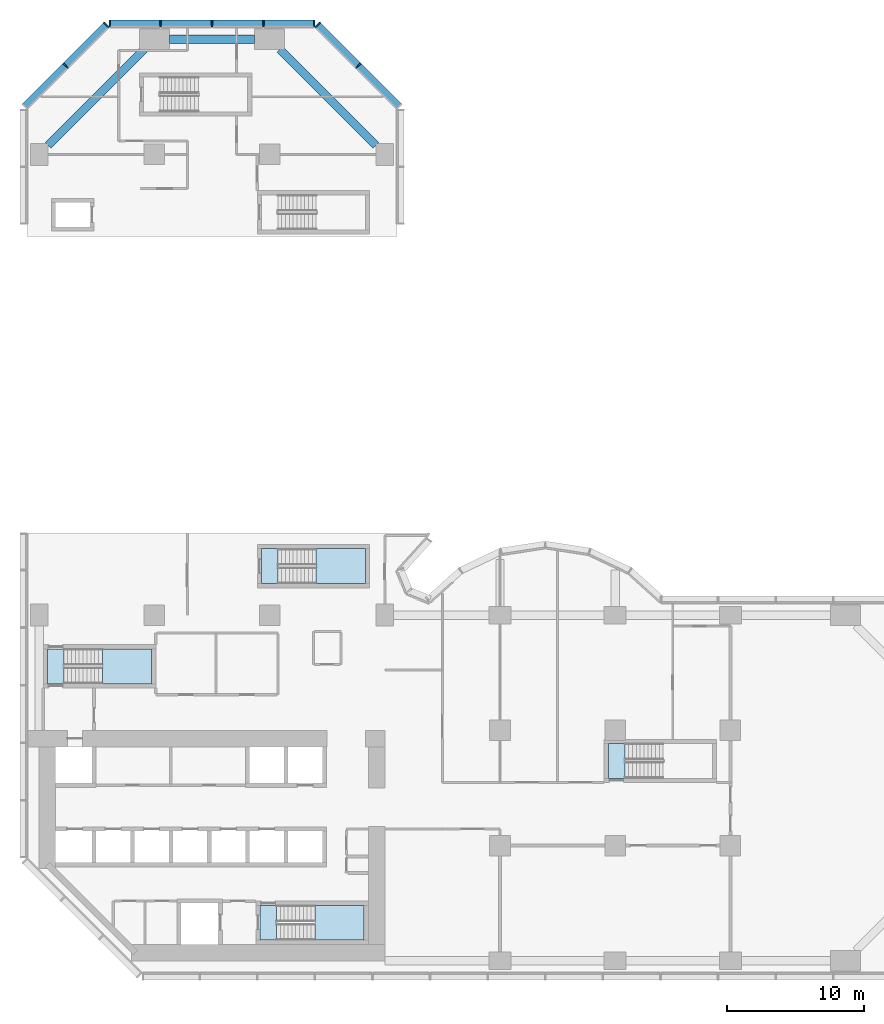
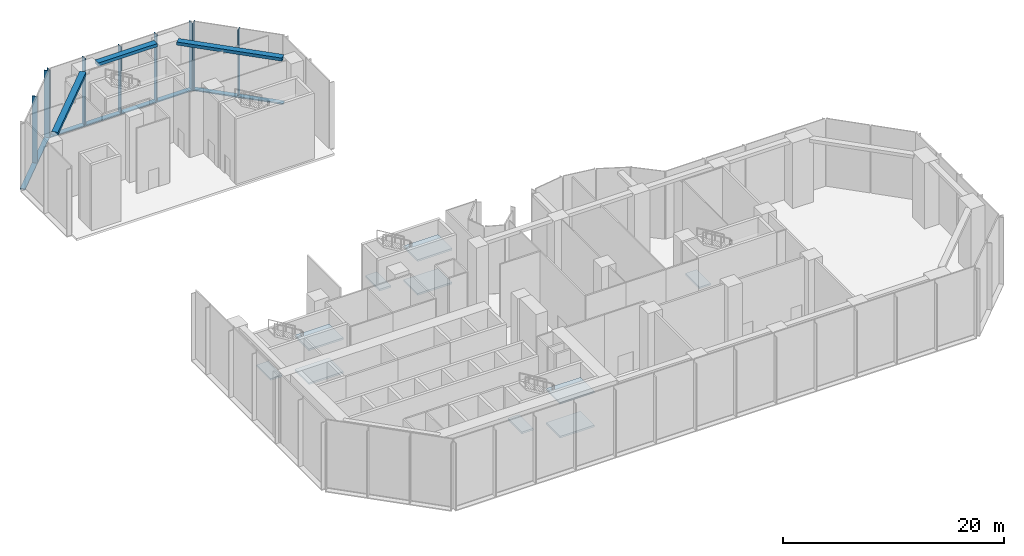
# One storey, part 5 of 16: 12 members, 10 slabs, 3 beams, 7 elements without a shape of their own.
"""IFC4 building model written with IfcOpenShell, lengths in metres."""

from ifc_helpers import new_model, si_unit, direction, frame, origin, origin_2d, place, context, subcontext, project, spatial, polyline, rectangle, outline, extrude, material, layer, layer_set, material_profile, profile_set, type_object, element, aggregate, save


model = new_model("IFC4")

# Units and contexts
model_context = context("Model", 3, precision=1e-05, world=origin(), true_north=direction((0.0, 1.0)))
body_context = subcontext(model_context, "Body", "Model", "MODEL_VIEW")
ifc_project = project(units=[si_unit("LENGTHUNIT", "METRE"), si_unit("AREAUNIT", "SQUARE_METRE"), si_unit("VOLUMEUNIT", "CUBIC_METRE"), si_unit("PLANEANGLEUNIT", "RADIAN"), si_unit("MASSUNIT", "GRAM", prefix="KILO")], contexts=[model_context])

# Site, building, storey
site_placement = place(None, origin())
site = spatial("IfcSite", under=ifc_project, at=site_placement, CompositionType="ELEMENT")
building_placement = place(site_placement, origin())
building = spatial("IfcBuilding", under=site, at=building_placement, Name="Brevane Broadcast Tower", CompositionType="ELEMENT")
storey_placement = place(building_placement, frame((0.0, 0.0, 12.5)))
storey = spatial("IfcBuildingStorey", under=building, at=storey_placement, Name="L02", CompositionType="ELEMENT", Elevation=12.5)

# Curtain wall, members
ifc_material_1 = material(Name="Aluminium 6063-T6 bronze anodised", Category="aluminium")
curtain_wall_type = type_object("IfcCurtainWallType", Name="CW-2 curtain wall", PredefinedType="NOTDEFINED", material=ifc_material_1)
curtain_wall_1_placement = place(storey_placement, origin())
curtain_wall_1 = element("IfcCurtainWall", 1, at=curtain_wall_1_placement, inside=storey, type_object=curtain_wall_type, Name="CW-2 podium base unit L02 north arm north-east chamfer", PredefinedType="NOTDEFINED")
ifc_material_profile_1 = material_profile(ifc_material_1, rectangle(XDim=0.5, YDim=0.090087890625, at=origin_2d()), Name="RECT 90x500")
ifc_profile_set_1 = profile_set([ifc_material_profile_1], Name="Aluminium 6063-T6 bronze anodised")
member_type_1 = type_object("IfcMemberType", Name="CW-2 mullion 90x500", PredefinedType="MULLION", material=ifc_profile_set_1)
member_1_placement = place(storey_placement, frame((23.27685546875, 65.27685546875, -0.1298828125), z_axis=(0.0, 0.0, 1.0), x_axis=(-0.707106781187, -0.707106781187, 0.0)))
member_1 = element("IfcMember", 2, at=member_1_placement, type_object=member_type_1, Name="CW-2 mullion", PredefinedType="MULLION", context=body_context, shape_type="SweptSolid", body=[
    extrude(rectangle(XDim=0.5, YDim=0.090087890625, at=origin_2d()), origin(), (0.0, 0.0, 1.0), 7.3798828125),
])
member_2_placement = place(storey_placement, frame((20.30859375, 68.244873046875, -0.1298828125), z_axis=(0.0, 0.0, 1.0), x_axis=(-0.707106781187, -0.707106781187, 0.0)))
member_2 = element("IfcMember", 3, at=member_2_placement, type_object=member_type_1, Name="CW-2 mullion", PredefinedType="MULLION", context=body_context, shape_type="SweptSolid", body=[
    extrude(rectangle(XDim=0.5, YDim=0.090087890625, at=origin_2d()), origin(), (0.0, 0.0, 1.0), 7.3798828125),
])

curtain_wall_2_placement = place(storey_placement, origin())
curtain_wall_2 = element("IfcCurtainWall", 4, at=curtain_wall_2_placement, inside=storey, type_object=curtain_wall_type, Name="CW-2 podium base unit L02 north end", PredefinedType="NOTDEFINED")
member_3_placement = place(storey_placement, frame((20.054931640625, 68.35009765625, -0.1298828125), z_axis=(0.0, 0.0, 1.0), x_axis=(0.0, -1.0, 0.0)))
member_3 = element("IfcMember", 5, at=member_3_placement, type_object=member_type_1, Name="CW-2 mullion", PredefinedType="MULLION", context=body_context, shape_type="SweptSolid", body=[
    extrude(rectangle(XDim=0.5, YDim=0.090087890625, at=origin_2d()), origin(), (0.0, 0.0, 1.0), 7.3798828125),
])
member_4_placement = place(storey_placement, frame((16.35009765625, 68.35009765625, -0.1298828125), z_axis=(0.0, 0.0, 1.0), x_axis=(0.0, -1.0, 0.0)))
member_4 = element("IfcMember", 6, at=member_4_placement, type_object=member_type_1, Name="CW-2 mullion", PredefinedType="MULLION", context=body_context, shape_type="SweptSolid", body=[
    extrude(rectangle(XDim=0.5, YDim=0.090087890625, at=origin_2d()), origin(), (0.0, 0.0, 1.0), 7.3798828125),
])
member_5_placement = place(storey_placement, frame((12.60009765625, 68.35009765625, -0.1298828125), z_axis=(0.0, 0.0, 1.0), x_axis=(0.0, -1.0, 0.0)))
member_5 = element("IfcMember", 7, at=member_5_placement, type_object=member_type_1, Name="CW-2 mullion", PredefinedType="MULLION", context=body_context, shape_type="SweptSolid", body=[
    extrude(rectangle(XDim=0.5, YDim=0.090087890625, at=origin_2d()), origin(), (0.0, 0.0, 1.0), 7.3798828125),
])
member_6_placement = place(storey_placement, frame((8.85009765625, 68.35009765625, -0.1298828125), z_axis=(0.0, 0.0, 1.0), x_axis=(0.0, -1.0, 0.0)))
member_6 = element("IfcMember", 8, at=member_6_placement, type_object=member_type_1, Name="CW-2 mullion", PredefinedType="MULLION", context=body_context, shape_type="SweptSolid", body=[
    extrude(rectangle(XDim=0.5, YDim=0.090087890625, at=origin_2d()), origin(), (0.0, 0.0, 1.0), 7.3798828125),
])
member_7_placement = place(storey_placement, frame((5.14501953125, 68.35009765625, -0.1298828125), z_axis=(0.0, 0.0, 1.0), x_axis=(0.0, -1.0, 0.0)))
member_7 = element("IfcMember", 9, at=member_7_placement, type_object=member_type_1, Name="CW-2 mullion", PredefinedType="MULLION", context=body_context, shape_type="SweptSolid", body=[
    extrude(rectangle(XDim=0.5, YDim=0.090087890625, at=origin_2d()), origin(), (0.0, 0.0, 1.0), 7.3798828125),
])

curtain_wall_3_placement = place(storey_placement, origin())
curtain_wall_3 = element("IfcCurtainWall", 10, at=curtain_wall_3_placement, inside=storey, type_object=curtain_wall_type, Name="CW-2 podium base unit L02 north-west chamfer", PredefinedType="NOTDEFINED")
member_8_placement = place(storey_placement, frame((4.891357421875, 68.244873046875, -0.1298828125), z_axis=(0.0, 0.0, 1.0), x_axis=(0.707106781187, -0.707106781187, 0.0)))
member_8 = element("IfcMember", 11, at=member_8_placement, type_object=member_type_1, Name="CW-2 mullion", PredefinedType="MULLION", context=body_context, shape_type="SweptSolid", body=[
    extrude(rectangle(XDim=0.5, YDim=0.090087890625, at=origin_2d()), origin(), (0.0, 0.0, 1.0), 7.3798828125),
])
member_9_placement = place(storey_placement, frame((1.92333984375, 65.27685546875, -0.1298828125), z_axis=(0.0, 0.0, 1.0), x_axis=(0.707106781187, -0.707106781187, 0.0)))
member_9 = element("IfcMember", 12, at=member_9_placement, type_object=member_type_1, Name="CW-2 mullion", PredefinedType="MULLION", context=body_context, shape_type="SweptSolid", body=[
    extrude(rectangle(XDim=0.5, YDim=0.090087890625, at=origin_2d()), origin(), (0.0, 0.0, 1.0), 7.3798828125),
])

# Member
ifc_material_profile_2 = material_profile(ifc_material_1, rectangle(XDim=0.5, YDim=0.1201171875, at=origin_2d()), Name="RECT 120x500")
ifc_profile_set_2 = profile_set([ifc_material_profile_2], Name="Aluminium 6063-T6 bronze anodised")
member_type_2 = type_object("IfcMemberType", Name="CW-2 transom 120x500", PredefinedType="USERDEFINED", material=ifc_profile_set_2)
member_10_placement = place(storey_placement, frame((26.27685546875, 62.27685546875, -0.18994140625), z_axis=(-0.707106781187, 0.707106781187, 0.0), x_axis=(-0.707106781187, -0.707106781187, 0.0)))
member_10 = element("IfcMember", 13, at=member_10_placement, type_object=member_type_2, Name="CW-2 transom", ObjectType="TRANSOM", PredefinedType="USERDEFINED", context=body_context, shape_type="SweptSolid", body=[
    extrude(rectangle(XDim=0.5, YDim=0.1201171875, at=origin_2d()), origin(), (0.0, 0.0, 1.0), 8.4853515625),
])

aggregate(curtain_wall_1, [member_1, member_2, member_10])

member_11_placement = place(storey_placement, frame((20.10009765625, 68.35009765625, -0.18994140625), z_axis=(-1.0, 0.0, 0.0), x_axis=(0.0, -1.0, 0.0)))
member_11 = element("IfcMember", 14, at=member_11_placement, type_object=member_type_2, Name="CW-2 transom", ObjectType="TRANSOM", PredefinedType="USERDEFINED", context=body_context, shape_type="SweptSolid", body=[
    extrude(rectangle(XDim=0.5, YDim=0.1201171875, at=origin_2d()), origin(), (0.0, 0.0, 1.0), 15.0),
])

aggregate(curtain_wall_2, [member_3, member_4, member_5, member_6, member_7, member_11])

member_12_placement = place(storey_placement, frame((4.92333984375, 68.27685546875, -0.18994140625), z_axis=(-0.707106781187, -0.707106781187, 0.0), x_axis=(0.707106781187, -0.707106781187, 0.0)))
member_12 = element("IfcMember", 15, at=member_12_placement, type_object=member_type_2, Name="CW-2 transom", ObjectType="TRANSOM", PredefinedType="USERDEFINED", context=body_context, shape_type="SweptSolid", body=[
    extrude(rectangle(XDim=0.5, YDim=0.1201171875, at=origin_2d()), origin(), (0.0, 0.0, 1.0), 8.4853515625),
])

aggregate(curtain_wall_3, [member_8, member_9, member_12])

# Beams
ifc_material_2 = material(Name="Concrete C40/50", Category="concrete")
ifc_material_profile_3 = material_profile(ifc_material_2, rectangle(XDim=0.60009765625, YDim=0.35009765625, at=origin_2d()), Name="RC 600x350")
ifc_profile_set_3 = profile_set([ifc_material_profile_3], Name="Concrete C40/50")
beam_type = type_object("IfcBeamType", Name="RC SPANDREL BEAM 600x350 C40/50", PredefinedType="SPANDREL", material=ifc_profile_set_3)
beam_1_placement = place(storey_placement, frame((24.550048828125, 59.449951171875, 7.074951171875), z_axis=(-0.707106781187, 0.707106781187, 0.0), x_axis=(-0.707106781187, -0.707106781187, 0.0)))
element("IfcBeam", 16, at=beam_1_placement, inside=storey, type_object=beam_type, Name="EB1 L02-12", PredefinedType="SPANDREL", context=body_context, shape_type="SweptSolid", body=[
    extrude(rectangle(XDim=0.60009765625, YDim=0.35009765625, at=origin_2d()), origin(), (0.0, 0.0, 1.0), 9.8994140625),
])
beam_2_placement = place(storey_placement, frame((15.699951171875, 67.199951171875, 7.074951171875), z_axis=(-1.0, 0.0, 0.0), x_axis=(0.0, -1.0, 0.0)))
element("IfcBeam", 17, at=beam_2_placement, inside=storey, type_object=beam_type, Name="EB1 L02-13", PredefinedType="SPANDREL", context=body_context, shape_type="SweptSolid", body=[
    extrude(rectangle(XDim=0.60009765625, YDim=0.35009765625, at=origin_2d()), origin(), (0.0, 0.0, 1.0), 6.199951171875),
])
beam_3_placement = place(storey_placement, frame((7.64990234375, 66.449951171875, 7.074951171875), z_axis=(-0.707106781187, -0.707106781187, 0.0), x_axis=(0.707106781187, -0.707106781187, 0.0)))
element("IfcBeam", 18, at=beam_3_placement, inside=storey, type_object=beam_type, Name="EB1 L02-14", PredefinedType="SPANDREL", context=body_context, shape_type="SweptSolid", body=[
    extrude(rectangle(XDim=0.60009765625, YDim=0.35009765625, at=origin_2d()), origin(), (0.0, 0.0, 1.0), 9.8994140625),
])

# Stair, slabs
ifc_material_3 = material(Name="Concrete C50/60", Category="concrete")
stair_type = type_object("IfcStairType", Name="Exit stair 44 risers", PredefinedType="HALF_TURN_STAIR", material=ifc_material_3)
stair_1_placement = place(storey_placement, origin())
stair_1 = element("IfcStair", 19, at=stair_1_placement, inside=storey, type_object=stair_type, Name="L02 Exit stair ST-1", PredefinedType="HALF_TURN_STAIR")
ifc_layer = layer(ifc_material_3, 0.199951171875)
ifc_layer_set = layer_set([ifc_layer], Name="Exit stair landing")
slab_type = type_object("IfcSlabType", Name="Exit stair landing", PredefinedType="LANDING", material=ifc_layer_set)
slab_1_placement = place(storey_placement, frame((0.0, 0.0, 1.675048828125)))
slab_1 = element("IfcSlab", 20, at=slab_1_placement, type_object=slab_type, Name="ST-1 landing 1", PredefinedType="LANDING", context=body_context, shape_type="SweptSolid", body=[
    extrude(outline(polyline([(4.60009765625, 20.199951171875), (8.199951171875, 20.199951171875), (8.199951171875, 22.75), (4.60009765625, 22.75), (4.60009765625, 20.199951171875)])), origin(), (0.0, 0.0, 1.0), 0.199951171875),
])
slab_2_placement = place(storey_placement, frame((0.0, 0.0, 3.550048828125)))
slab_2 = element("IfcSlab", 21, at=slab_2_placement, type_object=slab_type, Name="ST-1 landing 2", PredefinedType="LANDING", context=body_context, shape_type="SweptSolid", body=[
    extrude(outline(polyline([(0.60009765625, 20.199951171875), (1.800048828125, 20.199951171875), (1.800048828125, 22.75), (0.60009765625, 22.75), (0.60009765625, 20.199951171875)])), origin(), (0.0, 0.0, 1.0), 0.199951171875),
])
slab_3_placement = place(storey_placement, frame((0.0, 0.0, 5.425048828125)))
slab_3 = element("IfcSlab", 22, at=slab_3_placement, type_object=slab_type, Name="ST-1 landing 3", PredefinedType="LANDING", context=body_context, shape_type="SweptSolid", body=[
    extrude(outline(polyline([(4.60009765625, 20.199951171875), (8.199951171875, 20.199951171875), (8.199951171875, 22.75), (4.60009765625, 22.75), (4.60009765625, 20.199951171875)])), origin(), (0.0, 0.0, 1.0), 0.199951171875),
])
aggregate(stair_1, [slab_1, slab_2, slab_3])

stair_2_placement = place(storey_placement, origin())
stair_2 = element("IfcStair", 23, at=stair_2_placement, inside=storey, type_object=stair_type, Name="L02 Exit stair ST-2", PredefinedType="HALF_TURN_STAIR")
slab_4_placement = place(storey_placement, frame((0.0, 0.0, 1.675048828125)))
slab_4 = element("IfcSlab", 24, at=slab_4_placement, type_object=slab_type, Name="ST-2 landing 1", PredefinedType="LANDING", context=body_context, shape_type="SweptSolid", body=[
    extrude(outline(polyline([(20.10009765625, 1.5), (23.699951171875, 1.5), (23.699951171875, 4.050048828125), (20.10009765625, 4.050048828125), (20.10009765625, 1.5)])), origin(), (0.0, 0.0, 1.0), 0.199951171875),
])
slab_5_placement = place(storey_placement, frame((0.0, 0.0, 3.550048828125)))
slab_5 = element("IfcSlab", 25, at=slab_5_placement, type_object=slab_type, Name="ST-2 landing 2", PredefinedType="LANDING", context=body_context, shape_type="SweptSolid", body=[
    extrude(outline(polyline([(16.10009765625, 1.5), (17.300048828125, 1.5), (17.300048828125, 4.050048828125), (16.10009765625, 4.050048828125), (16.10009765625, 1.5)])), origin(), (0.0, 0.0, 1.0), 0.199951171875),
])
slab_6_placement = place(storey_placement, frame((0.0, 0.0, 5.425048828125)))
slab_6 = element("IfcSlab", 26, at=slab_6_placement, type_object=slab_type, Name="ST-2 landing 3", PredefinedType="LANDING", context=body_context, shape_type="SweptSolid", body=[
    extrude(outline(polyline([(20.10009765625, 1.5), (23.699951171875, 1.5), (23.699951171875, 4.050048828125), (20.10009765625, 4.050048828125), (20.10009765625, 1.5)])), origin(), (0.0, 0.0, 1.0), 0.199951171875),
])
aggregate(stair_2, [slab_4, slab_5, slab_6])

stair_3_placement = place(storey_placement, origin())
stair_3 = element("IfcStair", 27, at=stair_3_placement, inside=storey, type_object=stair_type, Name="L02 Exit stair ST-3", PredefinedType="HALF_TURN_STAIR")
slab_7_placement = place(storey_placement, frame((0.0, 0.0, 1.675048828125)))
slab_7 = element("IfcSlab", 28, at=slab_7_placement, type_object=slab_type, Name="ST-3 landing 1", PredefinedType="LANDING", context=body_context, shape_type="SweptSolid", body=[
    extrude(outline(polyline([(20.199951171875, 27.5), (23.800048828125, 27.5), (23.800048828125, 30.050048828125), (20.199951171875, 30.050048828125), (20.199951171875, 27.5)])), origin(), (0.0, 0.0, 1.0), 0.199951171875),
])
slab_8_placement = place(storey_placement, frame((0.0, 0.0, 3.550048828125)))
slab_8 = element("IfcSlab", 29, at=slab_8_placement, type_object=slab_type, Name="ST-3 landing 2", PredefinedType="LANDING", context=body_context, shape_type="SweptSolid", body=[
    extrude(outline(polyline([(16.199951171875, 27.5), (17.39990234375, 27.5), (17.39990234375, 30.050048828125), (16.199951171875, 30.050048828125), (16.199951171875, 27.5)])), origin(), (0.0, 0.0, 1.0), 0.199951171875),
])
slab_9_placement = place(storey_placement, frame((0.0, 0.0, 5.425048828125)))
slab_9 = element("IfcSlab", 30, at=slab_9_placement, type_object=slab_type, Name="ST-3 landing 3", PredefinedType="LANDING", context=body_context, shape_type="SweptSolid", body=[
    extrude(outline(polyline([(20.199951171875, 27.5), (23.800048828125, 27.5), (23.800048828125, 30.050048828125), (20.199951171875, 30.050048828125), (20.199951171875, 27.5)])), origin(), (0.0, 0.0, 1.0), 0.199951171875),
])
aggregate(stair_3, [slab_7, slab_8, slab_9])

# Stair, slab
stair_4_placement = place(storey_placement, origin())
stair_4 = element("IfcStair", 31, at=stair_4_placement, inside=storey, type_object=stair_type, Name="L02 Exit stair ST-4", PredefinedType="HALF_TURN_STAIR")
slab_10_placement = place(storey_placement, frame((0.0, 0.0, 3.550048828125)))
slab_10 = element("IfcSlab", 32, at=slab_10_placement, type_object=slab_type, Name="ST-4 landing 2", PredefinedType="LANDING", context=body_context, shape_type="SweptSolid", body=[
    extrude(outline(polyline([(41.5, 13.300048828125), (42.699951171875, 13.300048828125), (42.699951171875, 15.85009765625), (41.5, 15.85009765625), (41.5, 13.300048828125)])), origin(), (0.0, 0.0, 1.0), 0.199951171875),
])
aggregate(stair_4, [slab_10])

save(model, "model.ifc")
